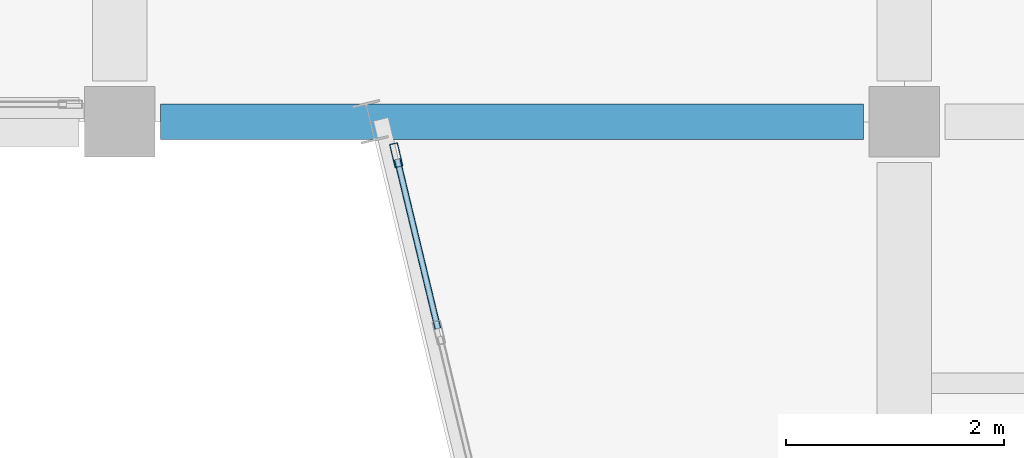
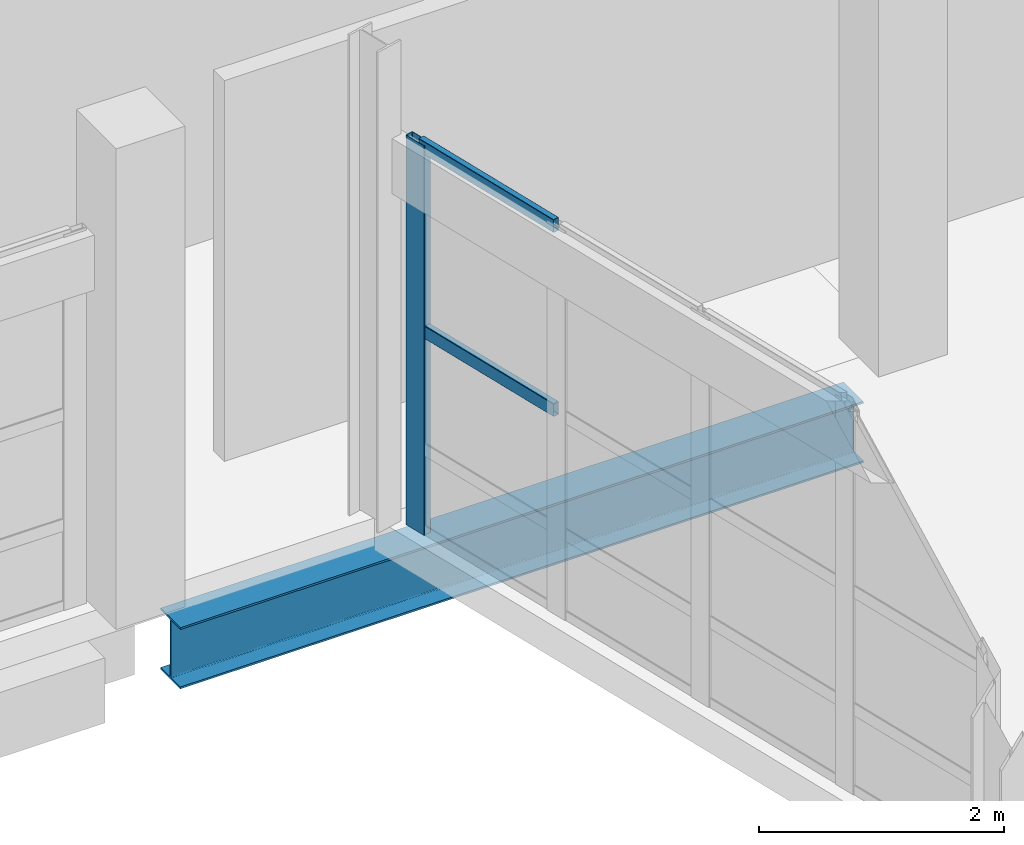
# One storey, part 58 of 127: 3 members, 1 beam, 1 element without a shape of its own.
"""IFC4 building model written with IfcOpenShell, lengths in metres."""

from ifc_helpers import new_model, si_unit, direction, frame, origin, origin_2d, place, context, subcontext, project, spatial, hollow_rectangle, i_section, extrude, material, material_profile, profile_set, type_object, element, aggregate, save


model = new_model("IFC4")

# Units and contexts
model_context = context("Model", 3, precision=1e-05, world=origin(), true_north=direction((0.0, 1.0)))
body_context = subcontext(model_context, "Body", "Model", "MODEL_VIEW")
ifc_project = project(units=[si_unit("LENGTHUNIT", "METRE"), si_unit("AREAUNIT", "SQUARE_METRE"), si_unit("VOLUMEUNIT", "CUBIC_METRE"), si_unit("PLANEANGLEUNIT", "RADIAN"), si_unit("MASSUNIT", "GRAM", prefix="KILO")], contexts=[model_context])

# Site, building, storey
site_placement = place(None, origin())
site = spatial("IfcSite", under=ifc_project, at=site_placement, CompositionType="ELEMENT")
building_placement = place(site_placement, origin())
building = spatial("IfcBuilding", under=site, at=building_placement, Name="Kalmorath City Hall", CompositionType="ELEMENT")
storey_placement = place(building_placement, frame((0.0, 0.0, 5.39990234375)))
storey = spatial("IfcBuildingStorey", under=building, at=storey_placement, Name="L01", CompositionType="ELEMENT", Elevation=5.39990234375)

# Curtain wall, members
ifc_material_1 = material(Name="Anodised aluminium and laminated glass", Category="aluminium")
curtain_wall_type = type_object("IfcCurtainWallType", Name="Unitised hurricane curtain wall 6849x3889 M1650", PredefinedType="NOTDEFINED", material=ifc_material_1)
curtain_wall_placement = place(storey_placement, origin())
curtain_wall = element("IfcCurtainWall", 1, at=curtain_wall_placement, inside=storey, type_object=curtain_wall_type, Name="L01 curtain wall CW-68X39M16 #100", PredefinedType="NOTDEFINED")
ifc_material_2 = material(Name="Anodised aluminium framing", Category="aluminium")
ifc_material_profile_1 = material_profile(ifc_material_2, hollow_rectangle(XDim=0.06005859375, YDim=0.1298828125, WallThickness=0.00341796875, InnerFilletRadius=0.00341796875, OuterFilletRadius=0.007080078125, at=origin_2d()), Name="ALU-TRN-130X60X3.5")
ifc_profile_set_1 = profile_set([ifc_material_profile_1], Name="Anodised aluminium framing")
member_type_1 = type_object("IfcMemberType", Name="Curtain-wall courtyard transom 130x60", PredefinedType="USERDEFINED", material=ifc_profile_set_1)
member_1_placement = place(storey_placement, frame((125.320068359375, 91.701416015625, 2.022216796875), z_axis=(-0.233476838675, 0.972362363423, 0.0), x_axis=(-0.972362363423, -0.233476838675, 0.0)))
member_1 = element("IfcMember", 2, at=member_1_placement, type_object=member_type_1, Name="CW-68X39M16 transom 4.3", ObjectType="TRANSOM", PredefinedType="USERDEFINED", context=body_context, shape_type="SweptSolid", body=[
    extrude(hollow_rectangle(XDim=0.06005859375, YDim=0.1298828125, WallThickness=0.00341796875, InnerFilletRadius=0.00341796875, OuterFilletRadius=0.007080078125, at=origin_2d()), origin(), (0.0, 0.0, 1.0), 1.599853515625),
])
member_2_placement = place(storey_placement, frame((125.320068359375, 91.701416015625, 3.859130859375), z_axis=(-0.233476838675, 0.972362363423, 0.0), x_axis=(-0.972362363423, -0.233476838675, 0.0)))
member_2 = element("IfcMember", 3, at=member_2_placement, type_object=member_type_1, Name="CW-68X39M16 transom 4.4", ObjectType="TRANSOM", PredefinedType="USERDEFINED", context=body_context, shape_type="SweptSolid", body=[
    extrude(hollow_rectangle(XDim=0.06005859375, YDim=0.1298828125, WallThickness=0.00341796875, InnerFilletRadius=0.00341796875, OuterFilletRadius=0.007080078125, at=origin_2d()), origin(), (0.0, 0.0, 1.0), 1.599853515625),
])
ifc_material_3 = material(Name="Anodised aluminium framing", Category="aluminium")
ifc_material_profile_2 = material_profile(ifc_material_3, hollow_rectangle(XDim=0.074951171875, YDim=0.219970703125, WallThickness=0.00390625, InnerFilletRadius=0.00390625, OuterFilletRadius=0.008056640625, at=origin_2d()), Name="ALU-MUL-220X75X4")
ifc_profile_set_2 = profile_set([ifc_material_profile_2], Name="Anodised aluminium framing")
member_type_2 = type_object("IfcMemberType", Name="Curtain-wall primary mullion 220x75", PredefinedType="MULLION", material=ifc_profile_set_2)
member_3_placement = place(storey_placement, frame((124.937744140625, 93.29345703125, 0.0), z_axis=(0.0, 0.0, 1.0), x_axis=(-0.97236741933, -0.233455781305, 0.0)))
member_3 = element("IfcMember", 4, at=member_3_placement, type_object=member_type_2, Name="CW-68X39M16 mullion 5", PredefinedType="MULLION", context=body_context, shape_type="SweptSolid", body=[
    extrude(hollow_rectangle(XDim=0.074951171875, YDim=0.219970703125, WallThickness=0.00390625, InnerFilletRadius=0.00390625, OuterFilletRadius=0.008056640625, at=origin_2d()), origin(), (0.0, 0.0, 1.0), 3.88916015625),
])
aggregate(curtain_wall, [member_3, member_1, member_2])

# Beam
ifc_material_4 = material(Name="Steel ASTM A992 Grade 50", Category="steel")
ifc_material_profile_3 = material_profile(ifc_material_4, i_section(OverallWidth=0.323974609375, OverallDepth=0.611083984375, WebThickness=0.0126953125, FlangeThickness=0.01904296875, FilletRadius=0.01611328125, at=origin_2d()), Name="W24X104")
ifc_profile_set_3 = profile_set([ifc_material_profile_3], Name="Steel ASTM A992 Grade 50")
beam_type = type_object("IfcBeamType", Name="Steel floor girder W24X104", PredefinedType="BEAM", material=ifc_profile_set_3)
beam_placement = place(storey_placement, frame((122.77490234375, 93.60009765625, -0.62939453125), z_axis=(1.0, 0.0, 0.0), x_axis=(0.0, 1.0, 0.0)))
element("IfcBeam", 5, at=beam_placement, inside=storey, type_object=beam_type, Name="L01 girder SG7 X18-19/14", PredefinedType="BEAM", context=body_context, shape_type="SweptSolid", body=[
    extrude(i_section(OverallWidth=0.323974609375, OverallDepth=0.611083984375, WebThickness=0.0126953125, FlangeThickness=0.01904296875, FilletRadius=0.01611328125, at=origin_2d()), origin(), (0.0, 0.0, 1.0), 6.4501953125),
])

save(model, "model.ifc")
